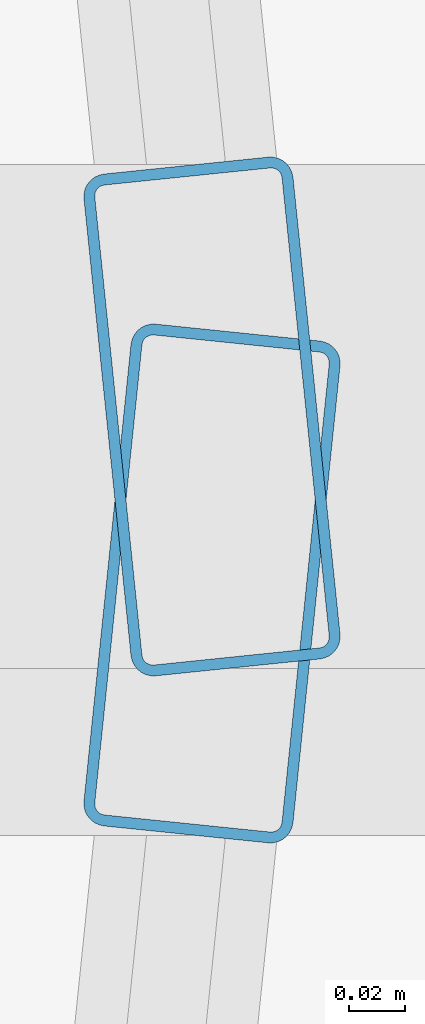
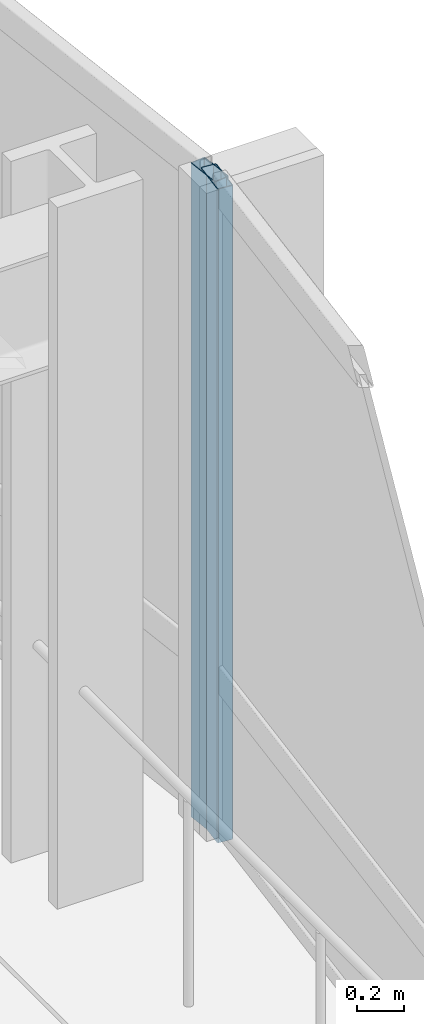
# One storey, part 25 of 34: 2 members, 2 elements without a shape of their own.
"""IFC4 building model written with IfcOpenShell, lengths in metres."""

from ifc_helpers import new_model, si_unit, direction, frame, origin, origin_2d, place, context, subcontext, project, spatial, hollow_rectangle, extrude, material, layer, layer_set, material_profile, profile_set, type_object, element, aggregate, save


model = new_model("IFC4")

# Units and contexts
model_context = context("Model", 3, precision=1e-05, world=origin(), true_north=direction((0.0, 1.0)))
body_context = subcontext(model_context, "Body", "Model", "MODEL_VIEW")
ifc_project = project(units=[si_unit("LENGTHUNIT", "METRE"), si_unit("AREAUNIT", "SQUARE_METRE"), si_unit("VOLUMEUNIT", "CUBIC_METRE"), si_unit("PLANEANGLEUNIT", "RADIAN"), si_unit("MASSUNIT", "GRAM", prefix="KILO")], contexts=[model_context])

# Site, building, storey
site_placement = place(None, origin())
site = spatial("IfcSite", under=ifc_project, at=site_placement, CompositionType="ELEMENT")
building_placement = place(site_placement, origin())
building = spatial("IfcBuilding", under=site, at=building_placement, Name="Solvaryn Broadcast Tower", CompositionType="ELEMENT")
storey_placement = place(building_placement, frame((0.0, 0.0, 69.300048828125)))
storey = spatial("IfcBuildingStorey", under=building, at=storey_placement, Name="L16", CompositionType="ELEMENT", Elevation=69.300048828125)

# Curtain wall, member
ifc_material_1 = material(Name="Aluminium and Terracotta Unitised Curtain Wall", Category="masonry")
ifc_layer = layer(ifc_material_1, 0.199951171875)
ifc_layer_set = layer_set([ifc_layer], Name="CW-SYS2-LOWMID")
curtain_wall_type = type_object("IfcCurtainWallType", Name="CW-SYS2-LOWMID", PredefinedType="NOTDEFINED", material=ifc_layer_set)
curtain_wall_1_placement = place(storey_placement, origin())
curtain_wall_1 = element("IfcCurtainWall", 1, at=curtain_wall_1_placement, inside=storey, type_object=curtain_wall_type, Name="L16 Curtain Wall ET1", PredefinedType="NOTDEFINED")
ifc_material_2 = material(Name="Anodised Aluminium 6063-T6", Category="aluminium")
ifc_material_profile = material_profile(ifc_material_2, hollow_rectangle(XDim=0.074951171875, YDim=0.179931640625, WallThickness=0.00390625, InnerFilletRadius=0.00390625, OuterFilletRadius=0.008056640625, at=origin_2d()))
ifc_profile_set = profile_set([ifc_material_profile], Name="Anodised Aluminium 6063-T6")
member_type = type_object("IfcMemberType", Name="CW-MUL-180", PredefinedType="MULLION", material=ifc_profile_set)
member_1_placement = place(storey_placement, frame((63.697021484375, 18.02978515625, 0.0), z_axis=(0.0, 0.0, 1.0), x_axis=(0.99474329889, 0.10240004548, 0.0)))
member_1 = element("IfcMember", 2, at=member_1_placement, type_object=member_type, Name="CWS2 mullion 2", PredefinedType="MULLION", context=body_context, shape_type="SweptSolid", body=[
    extrude(hollow_rectangle(XDim=0.074951171875, YDim=0.179931640625, WallThickness=0.00390625, InnerFilletRadius=0.00390625, OuterFilletRadius=0.008056640625, at=origin_2d()), origin(), (0.0, 0.0, 1.0), 3.419921875),
])
aggregate(curtain_wall_1, [member_1])

curtain_wall_2_placement = place(storey_placement, origin())
curtain_wall_2 = element("IfcCurtainWall", 3, at=curtain_wall_2_placement, inside=storey, type_object=curtain_wall_type, Name="L16 Curtain Wall ET2", PredefinedType="NOTDEFINED")
member_2_placement = place(storey_placement, frame((63.697021484375, 17.97021484375, 0.0), z_axis=(0.0, 0.0, 1.0), x_axis=(0.99474329889, -0.10240004548, 0.0)))
member_2 = element("IfcMember", 4, at=member_2_placement, type_object=member_type, Name="CWS2 mullion 1", PredefinedType="MULLION", context=body_context, shape_type="SweptSolid", body=[
    extrude(hollow_rectangle(XDim=0.074951171875, YDim=0.179931640625, WallThickness=0.00390625, InnerFilletRadius=0.00390625, OuterFilletRadius=0.008056640625, at=origin_2d()), origin(), (0.0, 0.0, 1.0), 3.419921875),
])
aggregate(curtain_wall_2, [member_2])

save(model, "model.ifc")
